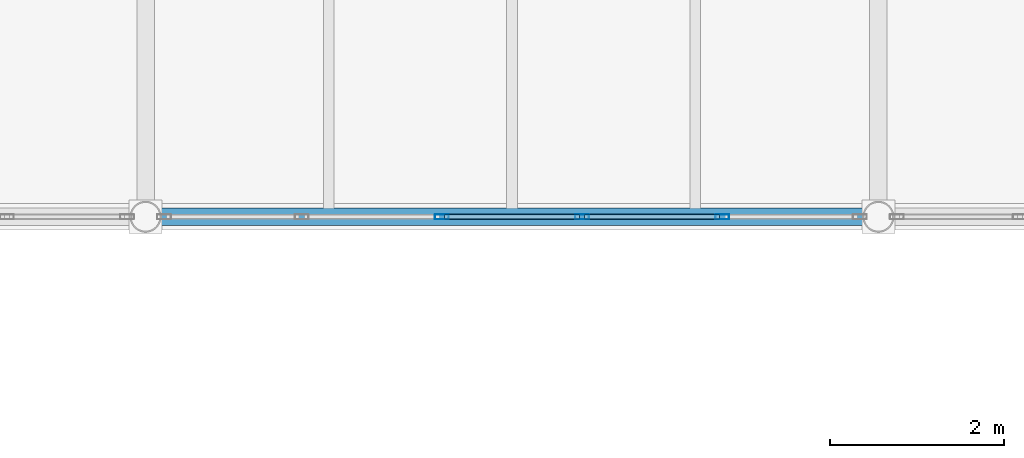
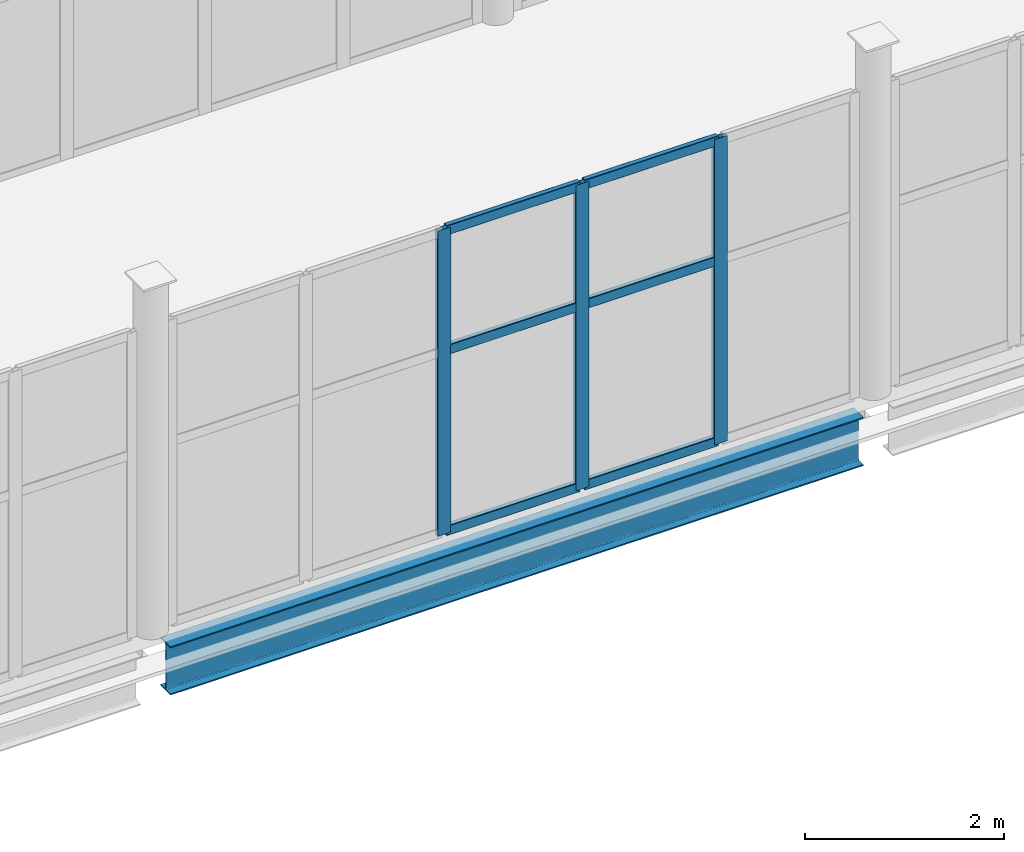
# One storey, part 55 of 172: 9 members, 1 beam, 1 element without a shape of its own.
"""IFC4 building model written with IfcOpenShell, lengths in metres."""

import ifcopenshell
import ifcopenshell.guid

model = None  # the IFC model being written
_history = None  # IfcOwnerHistory: only IFC2X3 demands one
_inside = {}  # id of a spatial element -> (the spatial element, [elements in it])
_under = {}  # id of a project, library or spatial element -> (it, [spatial elements below it])
_declared = {}  # id of a project -> (the project, [libraries it declares])
_typed = {}  # id of a type object -> (the type object, [elements of that type])
_made_of = {}  # id of a material, layer set ... -> (it, [elements and type objects made of it])


def new_model(schema):
    """Start an empty IFC model of exactly this schema.

    Asked for "IFC4X3", IfcOpenShell would pick the latest addendum, in which some entities
    have other attributes; the version numbers below select the first issue.
    IFC2X3 requires an IfcOwnerHistory on every rooted entity: one is made here for all.
    """
    global model, _history
    if schema == "IFC4X3":
        model = ifcopenshell.file(schema_version=(4, 3, 0, 0))
    else:
        model = ifcopenshell.file(schema=schema)
    _inside.clear()
    _under.clear()
    _declared.clear()
    _typed.clear()
    _made_of.clear()
    _history = None
    if model.schema == "IFC2X3":
        org = make("IfcOrganization", Name="unknown")
        user = make(
            "IfcPersonAndOrganization",
            ThePerson=make("IfcPerson", FamilyName="unknown"),
            TheOrganization=org,
        )
        app = make(
            "IfcApplication",
            ApplicationDeveloper=org,
            Version="unknown",
            ApplicationFullName="unknown",
            ApplicationIdentifier="unknown",
        )
        _history = make(
            "IfcOwnerHistory",
            OwningUser=user,
            OwningApplication=app,
            ChangeAction="ADDED",
            CreationDate=0,
        )
    return model


def make(cls, **values):
    """One entity of the class cls with the attributes given. An attribute that is None is left unset."""
    return model.create_entity(
        cls, **{name: value for name, value in values.items() if value is not None}
    )


def rooted(cls, **values):
    """An entity with a GlobalId (a new one), such as an element, a storey or a relation."""
    return make(cls, GlobalId=ifcopenshell.guid.new(), OwnerHistory=_history, **values)


def si_unit(unit_type, name, prefix=None):
    """IfcSIUnit, for example si_unit("LENGTHUNIT", "METRE", prefix="MILLI")."""
    return make("IfcSIUnit", UnitType=unit_type, Prefix=prefix, Name=name)


def assignment(units):
    """IfcUnitAssignment: the units of a project."""
    return None if units is None else make("IfcUnitAssignment", Units=units)


def point(xyz):
    """IfcCartesianPoint."""
    return None if xyz is None else make("IfcCartesianPoint", Coordinates=xyz)


def direction(xyz):
    """IfcDirection."""
    return None if xyz is None else make("IfcDirection", DirectionRatios=xyz)


def frame(location, z_axis=None, x_axis=None):
    """IfcAxis2Placement3D, a coordinate frame: its origin and axes. An axis left out is left unset."""
    return make(
        "IfcAxis2Placement3D",
        Location=point(location),
        Axis=direction(z_axis),
        RefDirection=direction(x_axis),
    )


def frame_2d(location, x_axis=None):
    """IfcAxis2Placement2D, a coordinate frame in the plane: its origin and x axis."""
    return make(
        "IfcAxis2Placement2D", Location=point(location), RefDirection=direction(x_axis)
    )


def origin():
    """The frame at (0, 0, 0) with its axes left unset."""
    return frame((0.0, 0.0, 0.0))


def origin_2d():
    """The frame at (0, 0) in the plane with its x axis left unset."""
    return frame_2d((0.0, 0.0))


def place(relative_to, where):
    """IfcLocalPlacement: puts the frame where relative to a parent placement (None: the world)."""
    return make(
        "IfcLocalPlacement", PlacementRelTo=relative_to, RelativePlacement=where
    )


def context(
    kind, dimensions, precision=None, world=None, true_north=None, identifier=None
):
    """IfcGeometricRepresentationContext, for example the 3D "Model" context."""
    return make(
        "IfcGeometricRepresentationContext",
        ContextIdentifier=identifier,
        ContextType=kind,
        CoordinateSpaceDimension=dimensions,
        Precision=precision,
        WorldCoordinateSystem=world,
        TrueNorth=true_north,
    )


def subcontext(parent, identifier, kind, view, scale=None):
    """IfcGeometricRepresentationSubContext, for example "Body" below "Model"."""
    return make(
        "IfcGeometricRepresentationSubContext",
        ContextIdentifier=identifier,
        ContextType=kind,
        ParentContext=parent,
        TargetScale=scale,
        TargetView=view,
    )


def project(units=None, contexts=None):
    """IfcProject with its units and contexts."""
    return rooted(
        "IfcProject",
        Name="project",
        RepresentationContexts=contexts,
        UnitsInContext=assignment(units),
    )


def spatial(cls, under=None, at=None, **own):
    """A site, building, storey or space (cls), placed at a placement, below another one or the project."""
    s = rooted(cls, ObjectPlacement=at, **own)
    if under is not None:
        _under.setdefault(under.id(), (under, []))[1].append(s)
    return s


def profile(cls, at=None, kind="AREA", **sizes):
    """A parametric profile (cls). Its sizes go by their IFC names, for example OverallWidth=200.0."""
    return make(cls, ProfileType=kind, Position=at, **sizes)


def hollow_rectangle(**sizes):
    """IfcRectangleHollowProfileDef."""
    return profile("IfcRectangleHollowProfileDef", **sizes)


def i_section(**sizes):
    """IfcIShapeProfileDef."""
    return profile("IfcIShapeProfileDef", **sizes)


def extrude(swept, where, along, depth):
    """IfcExtrudedAreaSolid: the profile swept, set in the frame where, extruded along a direction by depth."""
    return make(
        "IfcExtrudedAreaSolid",
        SweptArea=swept,
        Position=where,
        ExtrudedDirection=direction(along),
        Depth=depth,
    )


def shape(context_of_items, identifier, shape_type, items):
    """IfcShapeRepresentation: the items that make up one representation, for example the "Body"."""
    return make(
        "IfcShapeRepresentation",
        ContextOfItems=context_of_items,
        RepresentationIdentifier=identifier,
        RepresentationType=shape_type,
        Items=items,
    )


def material(Name=None, Category=None):
    """IfcMaterial."""
    return make("IfcMaterial", Name=Name, Category=Category)


def material_profile(
    of_material, cross_section, Name=None, Category=None, Priority=None
):
    """IfcMaterialProfile: a cross section and its material."""
    return make(
        "IfcMaterialProfile",
        Name=Name,
        Material=of_material,
        Profile=cross_section,
        Priority=Priority,
        Category=Category,
    )


def profile_set(profiles, Name=None, composite=None):
    """IfcMaterialProfileSet."""
    return make(
        "IfcMaterialProfileSet",
        Name=Name,
        MaterialProfiles=profiles,
        CompositeProfile=composite,
    )


def made_of(thing, what):
    """Note that an element or type object is made of a material, layer set ...; save() writes the relation."""
    if what is not None:
        _made_of.setdefault(what.id(), (what, []))[1].append(thing)
    return thing


def type_object(cls, material=None, **own):
    """A type object (cls), such as IfcWallType, which elements share."""
    return made_of(rooted(cls, **own), material)


def element(
    cls,
    number,
    at=None,
    inside=None,
    cuts=None,
    type_object=None,
    material=None,
    context=None,
    identifier="Body",
    shape_type=None,
    held_by="IfcProductDefinitionShape",
    body=None,
    shapes=None,
    **own,
):
    """One element of the class cls, such as IfcWall. Its Tag is "e" and its number.

    at: its placement. inside: the storey or other place that contains it. cuts: it is an
    opening in that element (IfcRelVoidsElement). A single representation is given by context,
    identifier, shape_type and body (its items); several are given by shapes. held_by: the class
    of the entity that holds the representations. save() writes the other relations.
    """
    e = rooted(cls, Tag="e%d" % number, ObjectPlacement=at, **own)
    if body is not None:
        shapes = [shape(context, identifier, shape_type, body)]
    if shapes is not None:
        e.Representation = make(held_by, Representations=shapes)
    if inside is not None:
        _inside.setdefault(inside.id(), (inside, []))[1].append(e)
    if cuts is not None:
        rooted(
            "IfcRelVoidsElement", RelatingBuildingElement=cuts, RelatedOpeningElement=e
        )
    if type_object is not None:
        _typed.setdefault(type_object.id(), (type_object, []))[1].append(e)
    return made_of(e, material)


def aggregate(whole, parts):
    """IfcRelAggregates: a whole, such as a stair, and the parts it consists of."""
    return rooted("IfcRelAggregates", RelatingObject=whole, RelatedObjects=parts)


def save(model, path):
    """Write the relations noted so far, then the file.

    IfcRelAggregates (storeys below a building ...), IfcRelContainedInSpatialStructure (elements
    in a storey), IfcRelDefinesByType, IfcRelAssociatesMaterial and IfcRelDeclares: one each for
    every whole, place, type object, material and project.
    """
    for whole, parts in _under.values():
        aggregate(whole, parts)
    for where, things in _inside.values():
        rooted(
            "IfcRelContainedInSpatialStructure",
            RelatedElements=things,
            RelatingStructure=where,
        )
    for kind, things in _typed.values():
        rooted("IfcRelDefinesByType", RelatedObjects=things, RelatingType=kind)
    for what, things in _made_of.values():
        rooted("IfcRelAssociatesMaterial", RelatedObjects=things, RelatingMaterial=what)
    for by, libraries in _declared.values():
        rooted("IfcRelDeclares", RelatingContext=by, RelatedDefinitions=libraries)
    model.write(path)


model = new_model("IFC4")

# Units and contexts
model_context = context("Model", 3, precision=1e-05, world=origin(), true_north=direction((0.0, 1.0)))
body_context = subcontext(model_context, "Body", "Model", "MODEL_VIEW")
ifc_project = project(units=[si_unit("LENGTHUNIT", "METRE"), si_unit("AREAUNIT", "SQUARE_METRE"), si_unit("VOLUMEUNIT", "CUBIC_METRE"), si_unit("PLANEANGLEUNIT", "RADIAN"), si_unit("MASSUNIT", "GRAM", prefix="KILO")], contexts=[model_context])

# Site, building, storey
site_placement = place(None, origin())
site = spatial("IfcSite", under=ifc_project, at=site_placement, CompositionType="ELEMENT")
building_placement = place(site_placement, origin())
building = spatial("IfcBuilding", under=site, at=building_placement, Name="Shengluoqiao Park Theatre", CompositionType="ELEMENT")
storey_placement = place(building_placement, frame((0.0, 0.0, 5.39990234375)))
storey = spatial("IfcBuildingStorey", under=building, at=storey_placement, Name="L01", CompositionType="ELEMENT", Elevation=5.39990234375)

# Curtain wall, members
ifc_material_1 = material(Name="Aluminium 6063-T6", Category="aluminium")
curtain_wall_type = type_object("IfcCurtainWallType", Name="ENV-CW-BRIDGE", PredefinedType="NOTDEFINED", material=ifc_material_1)
curtain_wall_placement = place(storey_placement, origin())
curtain_wall = element("IfcCurtainWall", 1, at=curtain_wall_placement, inside=storey, type_object=curtain_wall_type, Name="L01 Curtain Wall CWX-L01-0130", PredefinedType="NOTDEFINED")
ifc_material_profile_1 = material_profile(ifc_material_1, hollow_rectangle(XDim=0.06005859375, YDim=0.159912109375, WallThickness=0.00390625, InnerFilletRadius=0.00390625, OuterFilletRadius=0.008056640625, at=origin_2d()), Name="ALU MULLION 160x60x4")
ifc_profile_set_1 = profile_set([ifc_material_profile_1], Name="Aluminium 6063-T6")
member_type_1 = type_object("IfcMemberType", Name="ENV-MUL-160", PredefinedType="MULLION", material=ifc_profile_set_1)
member_1_placement = place(storey_placement, frame((107.396484375, 53.199951171875, 0.0), z_axis=(0.0, 0.0, 1.0), x_axis=(0.0, 1.0, 0.0)))
member_1 = element("IfcMember", 2, at=member_1_placement, type_object=member_type_1, Name="CW-03 mullion 3", PredefinedType="MULLION", context=body_context, shape_type="SweptSolid", body=[
    extrude(hollow_rectangle(XDim=0.06005859375, YDim=0.159912109375, WallThickness=0.00390625, InnerFilletRadius=0.00390625, OuterFilletRadius=0.008056640625, at=origin_2d()), origin(), (0.0, 0.0, 1.0), 3.752197265625),
])
member_2_placement = place(storey_placement, frame((109.003662109375, 53.199951171875, 0.0), z_axis=(0.0, 0.0, 1.0), x_axis=(0.0, 1.0, 0.0)))
member_2 = element("IfcMember", 3, at=member_2_placement, type_object=member_type_1, Name="CW-03 mullion 4", PredefinedType="MULLION", context=body_context, shape_type="SweptSolid", body=[
    extrude(hollow_rectangle(XDim=0.06005859375, YDim=0.159912109375, WallThickness=0.00390625, InnerFilletRadius=0.00390625, OuterFilletRadius=0.008056640625, at=origin_2d()), origin(), (0.0, 0.0, 1.0), 3.752197265625),
])
member_3_placement = place(storey_placement, frame((110.61083984375, 53.199951171875, 0.0), z_axis=(0.0, 0.0, 1.0), x_axis=(0.0, 1.0, 0.0)))
member_3 = element("IfcMember", 4, at=member_3_placement, type_object=member_type_1, Name="CW-03 mullion 5", PredefinedType="MULLION", context=body_context, shape_type="SweptSolid", body=[
    extrude(hollow_rectangle(XDim=0.06005859375, YDim=0.159912109375, WallThickness=0.00390625, InnerFilletRadius=0.00390625, OuterFilletRadius=0.008056640625, at=origin_2d()), origin(), (0.0, 0.0, 1.0), 3.752197265625),
])
ifc_material_profile_2 = material_profile(ifc_material_1, hollow_rectangle(XDim=0.06005859375, YDim=0.1201171875, WallThickness=0.00390625, InnerFilletRadius=0.00390625, OuterFilletRadius=0.008056640625, at=origin_2d()), Name="ALU TRANSOM 120x60x4")
ifc_profile_set_2 = profile_set([ifc_material_profile_2], Name="Aluminium 6063-T6")
member_type_2 = type_object("IfcMemberType", Name="ENV-TRN-120", PredefinedType="USERDEFINED", material=ifc_profile_set_2)
member_4_placement = place(storey_placement, frame((107.426513671875, 53.199951171875, 0.030029296875), z_axis=(1.0, 0.0, 0.0), x_axis=(0.0, 1.0, 0.0)))
member_4 = element("IfcMember", 5, at=member_4_placement, type_object=member_type_2, Name="CW-03 transom 3.1", ObjectType="TRANSOM", PredefinedType="USERDEFINED", context=body_context, shape_type="SweptSolid", body=[
    extrude(hollow_rectangle(XDim=0.06005859375, YDim=0.1201171875, WallThickness=0.00390625, InnerFilletRadius=0.00390625, OuterFilletRadius=0.008056640625, at=origin_2d()), origin(), (0.0, 0.0, 1.0), 1.547119140625),
])
member_5_placement = place(storey_placement, frame((107.426513671875, 53.199951171875, 2.2509765625), z_axis=(1.0, 0.0, 0.0), x_axis=(0.0, 1.0, 0.0)))
member_5 = element("IfcMember", 6, at=member_5_placement, type_object=member_type_2, Name="CW-03 transom 3.2", ObjectType="TRANSOM", PredefinedType="USERDEFINED", context=body_context, shape_type="SweptSolid", body=[
    extrude(hollow_rectangle(XDim=0.06005859375, YDim=0.1201171875, WallThickness=0.00390625, InnerFilletRadius=0.00390625, OuterFilletRadius=0.008056640625, at=origin_2d()), origin(), (0.0, 0.0, 1.0), 1.547119140625),
])
member_6_placement = place(storey_placement, frame((107.426513671875, 53.199951171875, 3.72216796875), z_axis=(1.0, 0.0, 0.0), x_axis=(0.0, 1.0, 0.0)))
member_6 = element("IfcMember", 7, at=member_6_placement, type_object=member_type_2, Name="CW-03 transom 3.3", ObjectType="TRANSOM", PredefinedType="USERDEFINED", context=body_context, shape_type="SweptSolid", body=[
    extrude(hollow_rectangle(XDim=0.06005859375, YDim=0.1201171875, WallThickness=0.00390625, InnerFilletRadius=0.00390625, OuterFilletRadius=0.008056640625, at=origin_2d()), origin(), (0.0, 0.0, 1.0), 1.547119140625),
])
member_7_placement = place(storey_placement, frame((109.03369140625, 53.199951171875, 0.030029296875), z_axis=(1.0, 0.0, 0.0), x_axis=(0.0, 1.0, 0.0)))
member_7 = element("IfcMember", 8, at=member_7_placement, type_object=member_type_2, Name="CW-03 transom 4.1", ObjectType="TRANSOM", PredefinedType="USERDEFINED", context=body_context, shape_type="SweptSolid", body=[
    extrude(hollow_rectangle(XDim=0.06005859375, YDim=0.1201171875, WallThickness=0.00390625, InnerFilletRadius=0.00390625, OuterFilletRadius=0.008056640625, at=origin_2d()), origin(), (0.0, 0.0, 1.0), 1.547119140625),
])
member_8_placement = place(storey_placement, frame((109.03369140625, 53.199951171875, 2.2509765625), z_axis=(1.0, 0.0, 0.0), x_axis=(0.0, 1.0, 0.0)))
member_8 = element("IfcMember", 9, at=member_8_placement, type_object=member_type_2, Name="CW-03 transom 4.2", ObjectType="TRANSOM", PredefinedType="USERDEFINED", context=body_context, shape_type="SweptSolid", body=[
    extrude(hollow_rectangle(XDim=0.06005859375, YDim=0.1201171875, WallThickness=0.00390625, InnerFilletRadius=0.00390625, OuterFilletRadius=0.008056640625, at=origin_2d()), origin(), (0.0, 0.0, 1.0), 1.547119140625),
])
member_9_placement = place(storey_placement, frame((109.03369140625, 53.199951171875, 3.72216796875), z_axis=(1.0, 0.0, 0.0), x_axis=(0.0, 1.0, 0.0)))
member_9 = element("IfcMember", 10, at=member_9_placement, type_object=member_type_2, Name="CW-03 transom 4.3", ObjectType="TRANSOM", PredefinedType="USERDEFINED", context=body_context, shape_type="SweptSolid", body=[
    extrude(hollow_rectangle(XDim=0.06005859375, YDim=0.1201171875, WallThickness=0.00390625, InnerFilletRadius=0.00390625, OuterFilletRadius=0.008056640625, at=origin_2d()), origin(), (0.0, 0.0, 1.0), 1.547119140625),
])
aggregate(curtain_wall, [member_1, member_2, member_3, member_4, member_5, member_6, member_7, member_8, member_9])

# Beam
ifc_material_2 = material(Name="Steel Q355", Category="steel")
ifc_material_profile_3 = material_profile(ifc_material_2, i_section(OverallWidth=0.198974609375, OverallDepth=0.595947265625, WebThickness=0.010009765625, FlangeThickness=0.014892578125, FilletRadius=0.02001953125, at=origin_2d()), Name="HN 596x199x10x15")
ifc_profile_set_3 = profile_set([ifc_material_profile_3], Name="Steel Q355")
beam_type = type_object("IfcBeamType", Name="STR-BM-SP-HN596", PredefinedType="SPANDREL", material=ifc_profile_set_3)
beam_placement = place(storey_placement, frame((104.172119140625, 53.199951171875, -0.5078125), z_axis=(1.0, 0.0, 0.0), x_axis=(0.0, 1.0, 0.0)))
element("IfcBeam", 11, at=beam_placement, inside=storey, type_object=beam_type, Name="L01 Primary Girder 00568", PredefinedType="SPANDREL", context=body_context, shape_type="SweptSolid", body=[
    extrude(i_section(OverallWidth=0.198974609375, OverallDepth=0.595947265625, WebThickness=0.010009765625, FlangeThickness=0.014892578125, FilletRadius=0.02001953125, at=origin_2d()), origin(), (0.0, 0.0, 1.0), 8.055908203125),
])

save(model, "model.ifc")
